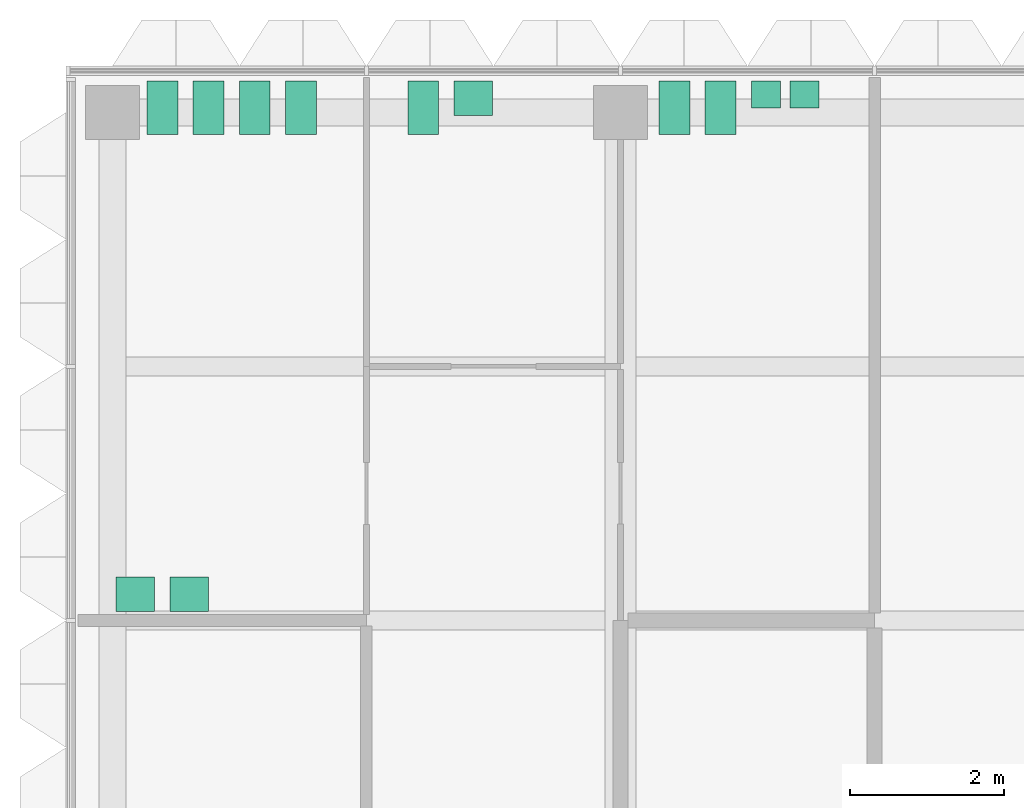
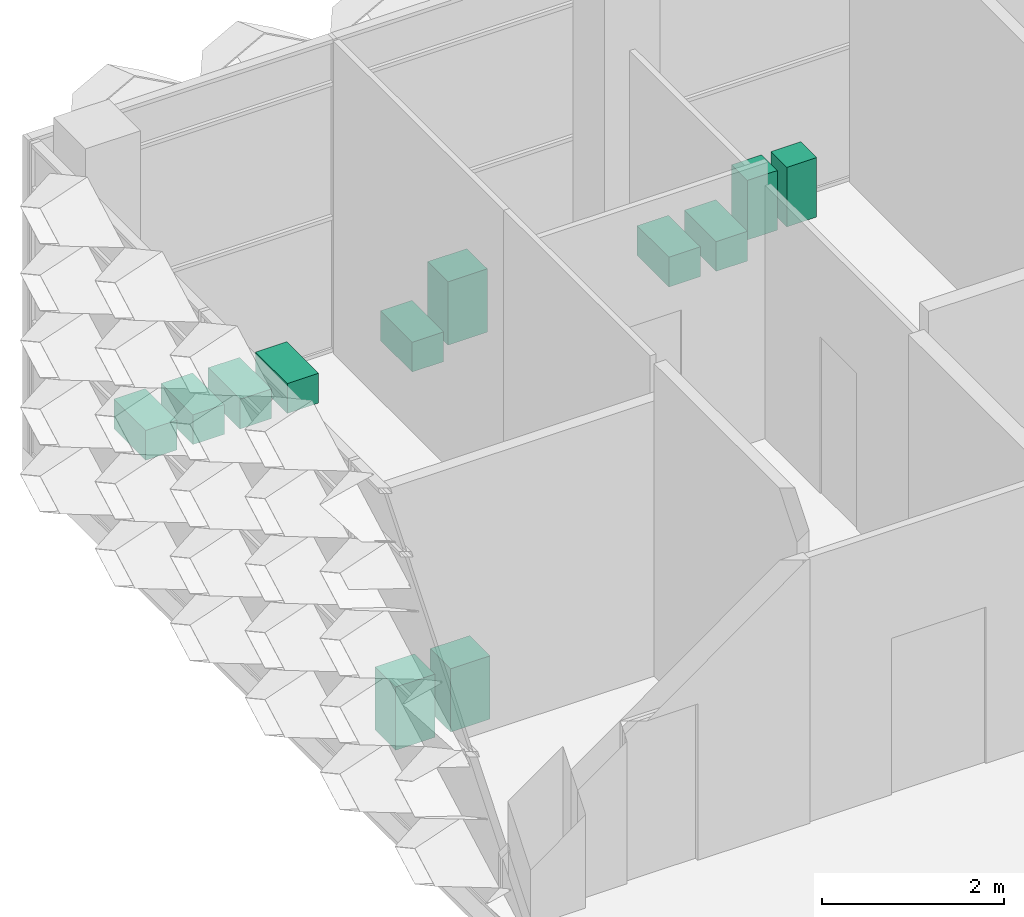
# One storey, part 28 of 28: 12 sanitary terminals.
"""IFC4 building model written with IfcOpenShell, lengths in metres."""

from ifc_helpers import new_model, si_unit, direction, frame, origin, origin_2d, place, context, subcontext, project, spatial, rectangle, extrude, element, save


model = new_model("IFC4")

# Units and contexts
model_context = context("Model", 3, precision=1e-05, world=origin(), true_north=direction((0.0, 1.0)))
body_context = subcontext(model_context, "Body", "Model", "MODEL_VIEW")
ifc_project = project(units=[si_unit("LENGTHUNIT", "METRE"), si_unit("AREAUNIT", "SQUARE_METRE"), si_unit("VOLUMEUNIT", "CUBIC_METRE"), si_unit("PLANEANGLEUNIT", "RADIAN"), si_unit("MASSUNIT", "GRAM", prefix="KILO")], contexts=[model_context])

# Site, building, storey
site_placement = place(None, origin())
site = spatial("IfcSite", under=ifc_project, at=site_placement, CompositionType="ELEMENT")
building_placement = place(site_placement, origin())
building = spatial("IfcBuilding", under=site, at=building_placement, Name="Lantern Court Research Institute", CompositionType="ELEMENT")
storey_placement = place(building_placement, frame((0.0, 0.0, 36.89990234375)))
storey = spatial("IfcBuildingStorey", under=building, at=storey_placement, Name="L08", CompositionType="ELEMENT", Elevation=36.89990234375)

# Sanitary terminals
for number, where, z_axis, x_axis, name in (
    (1, (53.449951171875, 23.159912109375, 0.000244140625), (0.0, 0.0, 1.0), (1.0, 0.0, 0.0), "WC pan T8.03"),
    (2, (54.050048828125, 23.159912109375, 0.000244140625), (0.0, 0.0, 1.0), (1.0, 0.0, 0.0), "WC pan T8.03"),
    (3, (54.64990234375, 23.159912109375, 0.000244140625), (0.0, 0.0, 1.0), (1.0, 0.0, 0.0), "WC pan T8.03"),
    (4, (55.25, 23.159912109375, 0.000244140625), (0.0, 0.0, 1.0), (1.0, 0.0, 0.0), "WC pan T8.03"),
):
    element("IfcSanitaryTerminal", number, at=place(storey_placement, frame(where, z_axis=z_axis, x_axis=x_axis)), inside=storey, Name=name, PredefinedType="TOILETPAN", context=body_context, shape_type="SweptSolid", body=[
        extrude(rectangle(XDim=0.39990234375, YDim=0.699951171875, at=origin_2d()), origin(), (0.0, 0.0, 1.0), 0.39990234375),
    ])
for number, where, z_axis, x_axis, name in (
    (5, (53.10009765625, 16.840087890625, 0.0), (0.0, 0.0, 1.0), (1.0, 0.0, 0.0), "Wash basin T8.03"),
    (6, (53.800048828125, 16.840087890625, 0.0), (0.0, 0.0, 1.0), (1.0, 0.0, 0.0), "Wash basin T8.03"),
):
    element("IfcSanitaryTerminal", number, at=place(storey_placement, frame(where, z_axis=z_axis, x_axis=x_axis)), inside=storey, Name=name, PredefinedType="WASHHANDBASIN", context=body_context, shape_type="SweptSolid", body=[
        extrude(rectangle(XDim=0.5, YDim=0.449951171875, at=origin_2d()), origin(), (0.0, 0.0, 1.0), 0.85009765625),
    ])
sanitary_terminal_1_placement = place(storey_placement, frame((56.83740234375, 23.159912109375, 0.000244140625), z_axis=(0.0, 0.0, 1.0), x_axis=(1.0, 0.0, 0.0)))
element("IfcSanitaryTerminal", 7, at=sanitary_terminal_1_placement, inside=storey, Name="WC pan T8.05", PredefinedType="TOILETPAN", context=body_context, shape_type="SweptSolid", body=[
    extrude(rectangle(XDim=0.39990234375, YDim=0.699951171875, at=origin_2d()), origin(), (0.0, 0.0, 1.0), 0.39990234375),
])
sanitary_terminal_2_placement = place(storey_placement, frame((57.487548828125, 23.284912109375, 0.0), z_axis=(0.0, 0.0, 1.0), x_axis=(1.0, 0.0, 0.0)))
element("IfcSanitaryTerminal", 8, at=sanitary_terminal_2_placement, inside=storey, Name="Wash basin T8.05", PredefinedType="WASHHANDBASIN", context=body_context, shape_type="SweptSolid", body=[
    extrude(rectangle(XDim=0.5, YDim=0.449951171875, at=origin_2d()), origin(), (0.0, 0.0, 1.0), 0.85009765625),
])
for number, where, z_axis, x_axis, name in (
    (9, (60.10009765625, 23.159912109375, 0.000244140625), (0.0, 0.0, 1.0), (1.0, 0.0, 0.0), "WC pan T8.07"),
    (10, (60.699951171875, 23.159912109375, 0.000244140625), (0.0, 0.0, 1.0), (1.0, 0.0, 0.0), "WC pan T8.07"),
):
    element("IfcSanitaryTerminal", number, at=place(storey_placement, frame(where, z_axis=z_axis, x_axis=x_axis)), inside=storey, Name=name, PredefinedType="TOILETPAN", context=body_context, shape_type="SweptSolid", body=[
        extrude(rectangle(XDim=0.39990234375, YDim=0.699951171875, at=origin_2d()), origin(), (0.0, 0.0, 1.0), 0.39990234375),
    ])
for number, where, z_axis, x_axis, name in (
    (11, (61.2900390625, 23.3349609375, 0.0), (0.0, 0.0, 1.0), (1.0, 0.0, 0.0), "Urinal T8.07"),
    (12, (61.7900390625, 23.3349609375, 0.0), (0.0, 0.0, 1.0), (1.0, 0.0, 0.0), "Urinal T8.07"),
):
    element("IfcSanitaryTerminal", number, at=place(storey_placement, frame(where, z_axis=z_axis, x_axis=x_axis)), inside=storey, Name=name, PredefinedType="URINAL", context=body_context, shape_type="SweptSolid", body=[
        extrude(rectangle(XDim=0.3798828125, YDim=0.35009765625, at=origin_2d()), origin(), (0.0, 0.0, 1.0), 0.800048828125),
    ])

save(model, "model.ifc")
